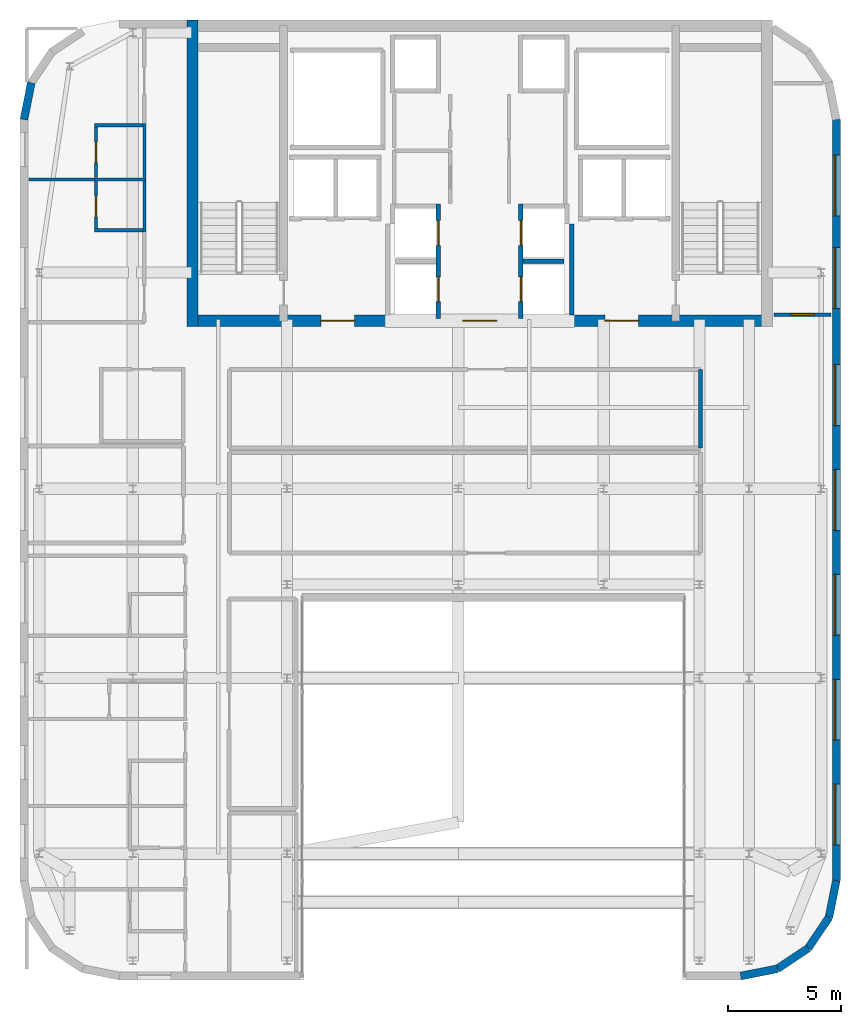
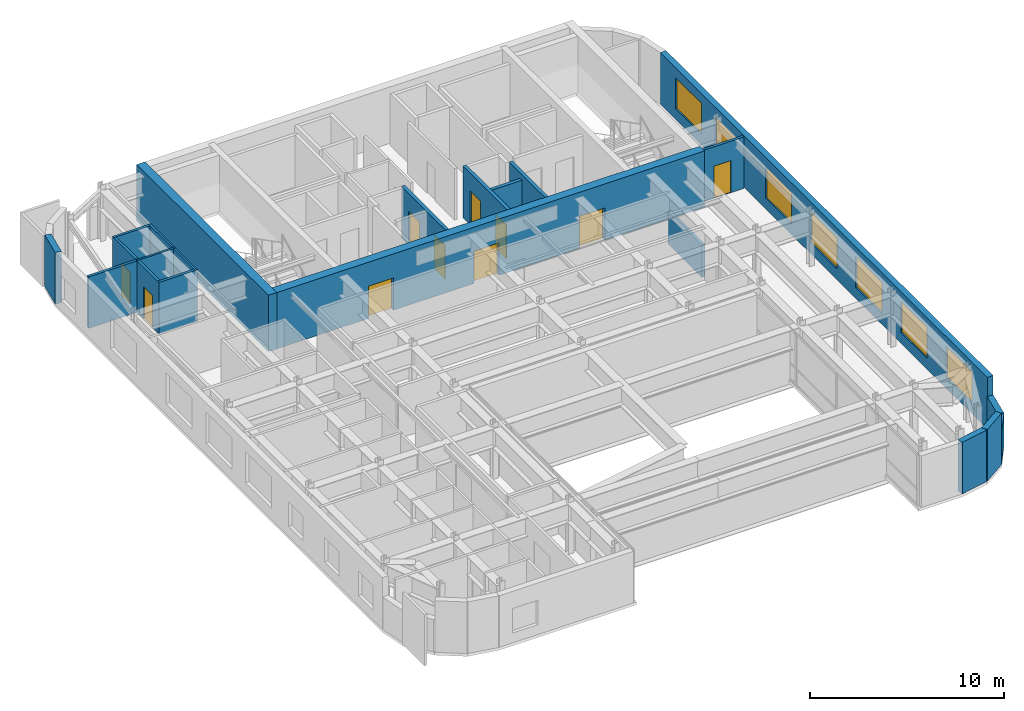
# One storey, part 18 of 21: 22 walls, 10 doors, 7 windows, 17 openings.
"""IFC4 building model written with IfcOpenShell, lengths in metres."""

import ifcopenshell
import ifcopenshell.guid

model = None  # the IFC model being written
_history = None  # IfcOwnerHistory: only IFC2X3 demands one
_inside = {}  # id of a spatial element -> (the spatial element, [elements in it])
_under = {}  # id of a project, library or spatial element -> (it, [spatial elements below it])
_declared = {}  # id of a project -> (the project, [libraries it declares])
_typed = {}  # id of a type object -> (the type object, [elements of that type])
_made_of = {}  # id of a material, layer set ... -> (it, [elements and type objects made of it])


def new_model(schema):
    """Start an empty IFC model of exactly this schema.

    Asked for "IFC4X3", IfcOpenShell would pick the latest addendum, in which some entities
    have other attributes; the version numbers below select the first issue.
    IFC2X3 requires an IfcOwnerHistory on every rooted entity: one is made here for all.
    """
    global model, _history
    if schema == "IFC4X3":
        model = ifcopenshell.file(schema_version=(4, 3, 0, 0))
    else:
        model = ifcopenshell.file(schema=schema)
    _inside.clear()
    _under.clear()
    _declared.clear()
    _typed.clear()
    _made_of.clear()
    _history = None
    if model.schema == "IFC2X3":
        org = make("IfcOrganization", Name="unknown")
        user = make(
            "IfcPersonAndOrganization",
            ThePerson=make("IfcPerson", FamilyName="unknown"),
            TheOrganization=org,
        )
        app = make(
            "IfcApplication",
            ApplicationDeveloper=org,
            Version="unknown",
            ApplicationFullName="unknown",
            ApplicationIdentifier="unknown",
        )
        _history = make(
            "IfcOwnerHistory",
            OwningUser=user,
            OwningApplication=app,
            ChangeAction="ADDED",
            CreationDate=0,
        )
    return model


def make(cls, **values):
    """One entity of the class cls with the attributes given. An attribute that is None is left unset."""
    return model.create_entity(
        cls, **{name: value for name, value in values.items() if value is not None}
    )


def rooted(cls, **values):
    """An entity with a GlobalId (a new one), such as an element, a storey or a relation."""
    return make(cls, GlobalId=ifcopenshell.guid.new(), OwnerHistory=_history, **values)


def si_unit(unit_type, name, prefix=None):
    """IfcSIUnit, for example si_unit("LENGTHUNIT", "METRE", prefix="MILLI")."""
    return make("IfcSIUnit", UnitType=unit_type, Prefix=prefix, Name=name)


def assignment(units):
    """IfcUnitAssignment: the units of a project."""
    return None if units is None else make("IfcUnitAssignment", Units=units)


def point(xyz):
    """IfcCartesianPoint."""
    return None if xyz is None else make("IfcCartesianPoint", Coordinates=xyz)


def direction(xyz):
    """IfcDirection."""
    return None if xyz is None else make("IfcDirection", DirectionRatios=xyz)


def frame(location, z_axis=None, x_axis=None):
    """IfcAxis2Placement3D, a coordinate frame: its origin and axes. An axis left out is left unset."""
    return make(
        "IfcAxis2Placement3D",
        Location=point(location),
        Axis=direction(z_axis),
        RefDirection=direction(x_axis),
    )


def frame_2d(location, x_axis=None):
    """IfcAxis2Placement2D, a coordinate frame in the plane: its origin and x axis."""
    return make(
        "IfcAxis2Placement2D", Location=point(location), RefDirection=direction(x_axis)
    )


def origin():
    """The frame at (0, 0, 0) with its axes left unset."""
    return frame((0.0, 0.0, 0.0))


def place(relative_to, where):
    """IfcLocalPlacement: puts the frame where relative to a parent placement (None: the world)."""
    return make(
        "IfcLocalPlacement", PlacementRelTo=relative_to, RelativePlacement=where
    )


def context(
    kind, dimensions, precision=None, world=None, true_north=None, identifier=None
):
    """IfcGeometricRepresentationContext, for example the 3D "Model" context."""
    return make(
        "IfcGeometricRepresentationContext",
        ContextIdentifier=identifier,
        ContextType=kind,
        CoordinateSpaceDimension=dimensions,
        Precision=precision,
        WorldCoordinateSystem=world,
        TrueNorth=true_north,
    )


def subcontext(parent, identifier, kind, view, scale=None):
    """IfcGeometricRepresentationSubContext, for example "Body" below "Model"."""
    return make(
        "IfcGeometricRepresentationSubContext",
        ContextIdentifier=identifier,
        ContextType=kind,
        ParentContext=parent,
        TargetScale=scale,
        TargetView=view,
    )


def project(units=None, contexts=None):
    """IfcProject with its units and contexts."""
    return rooted(
        "IfcProject",
        Name="project",
        RepresentationContexts=contexts,
        UnitsInContext=assignment(units),
    )


def spatial(cls, under=None, at=None, **own):
    """A site, building, storey or space (cls), placed at a placement, below another one or the project."""
    s = rooted(cls, ObjectPlacement=at, **own)
    if under is not None:
        _under.setdefault(under.id(), (under, []))[1].append(s)
    return s


def profile(cls, at=None, kind="AREA", **sizes):
    """A parametric profile (cls). Its sizes go by their IFC names, for example OverallWidth=200.0."""
    return make(cls, ProfileType=kind, Position=at, **sizes)


def rectangle(**sizes):
    """IfcRectangleProfileDef."""
    return profile("IfcRectangleProfileDef", **sizes)


def extrude(swept, where, along, depth):
    """IfcExtrudedAreaSolid: the profile swept, set in the frame where, extruded along a direction by depth."""
    return make(
        "IfcExtrudedAreaSolid",
        SweptArea=swept,
        Position=where,
        ExtrudedDirection=direction(along),
        Depth=depth,
    )


def shape(context_of_items, identifier, shape_type, items):
    """IfcShapeRepresentation: the items that make up one representation, for example the "Body"."""
    return make(
        "IfcShapeRepresentation",
        ContextOfItems=context_of_items,
        RepresentationIdentifier=identifier,
        RepresentationType=shape_type,
        Items=items,
    )


def source(mapping_origin, context_of_items, identifier, shape_type, items):
    """IfcRepresentationMap: a shape defined once, which mapped items show again and again."""
    return make(
        "IfcRepresentationMap",
        MappingOrigin=mapping_origin,
        MappedRepresentation=shape(context_of_items, identifier, shape_type, items),
    )


def transform(
    local_origin,
    x_axis=None,
    y_axis=None,
    z_axis=None,
    scale=None,
    scale2=None,
    scale3=None,
    uniform=True,
):
    """IfcCartesianTransformationOperator3D, or its non-uniform kind. x_axis, y_axis, z_axis: its Axis1, 2, 3."""
    if uniform:
        return make(
            "IfcCartesianTransformationOperator3D",
            Axis1=direction(x_axis),
            Axis2=direction(y_axis),
            LocalOrigin=point(local_origin),
            Scale=scale,
            Axis3=direction(z_axis),
        )
    return make(
        "IfcCartesianTransformationOperator3DnonUniform",
        Axis1=direction(x_axis),
        Axis2=direction(y_axis),
        LocalOrigin=point(local_origin),
        Scale=scale,
        Axis3=direction(z_axis),
        Scale2=scale2,
        Scale3=scale3,
    )


def mapped(mapping_source, mapping_target):
    """IfcMappedItem: shows the shape of a source again, moved by a transform."""
    return make(
        "IfcMappedItem", MappingSource=mapping_source, MappingTarget=mapping_target
    )


def material(Name=None, Category=None):
    """IfcMaterial."""
    return make("IfcMaterial", Name=Name, Category=Category)


def layer(
    of_material, thickness, ventilated=None, Name=None, Category=None, Priority=None
):
    """IfcMaterialLayer: one layer of a wall or slab, of a material (None: an air gap)."""
    return make(
        "IfcMaterialLayer",
        Material=of_material,
        LayerThickness=thickness,
        IsVentilated=ventilated,
        Name=Name,
        Category=Category,
        Priority=Priority,
    )


def layer_set(layers, Name=None):
    """IfcMaterialLayerSet."""
    return make("IfcMaterialLayerSet", MaterialLayers=layers, LayerSetName=Name)


def made_of(thing, what):
    """Note that an element or type object is made of a material, layer set ...; save() writes the relation."""
    if what is not None:
        _made_of.setdefault(what.id(), (what, []))[1].append(thing)
    return thing


def type_object(cls, material=None, **own):
    """A type object (cls), such as IfcWallType, which elements share."""
    return made_of(rooted(cls, **own), material)


def type_shapes(of_type, sources):
    """Give a type object the sources (RepresentationMaps) that its elements show as mapped items."""
    of_type.RepresentationMaps = sources


def element(
    cls,
    number,
    at=None,
    inside=None,
    cuts=None,
    type_object=None,
    material=None,
    context=None,
    identifier="Body",
    shape_type=None,
    held_by="IfcProductDefinitionShape",
    body=None,
    shapes=None,
    **own,
):
    """One element of the class cls, such as IfcWall. Its Tag is "e" and its number.

    at: its placement. inside: the storey or other place that contains it. cuts: it is an
    opening in that element (IfcRelVoidsElement). A single representation is given by context,
    identifier, shape_type and body (its items); several are given by shapes. held_by: the class
    of the entity that holds the representations. save() writes the other relations.
    """
    e = rooted(cls, Tag="e%d" % number, ObjectPlacement=at, **own)
    if body is not None:
        shapes = [shape(context, identifier, shape_type, body)]
    if shapes is not None:
        e.Representation = make(held_by, Representations=shapes)
    if inside is not None:
        _inside.setdefault(inside.id(), (inside, []))[1].append(e)
    if cuts is not None:
        rooted(
            "IfcRelVoidsElement", RelatingBuildingElement=cuts, RelatedOpeningElement=e
        )
    if type_object is not None:
        _typed.setdefault(type_object.id(), (type_object, []))[1].append(e)
    return made_of(e, material)


def fill(opening, filler):
    """IfcRelFillsElement: the door or window that sits in an opening."""
    return rooted(
        "IfcRelFillsElement",
        RelatingOpeningElement=opening,
        RelatedBuildingElement=filler,
    )


def aggregate(whole, parts):
    """IfcRelAggregates: a whole, such as a stair, and the parts it consists of."""
    return rooted("IfcRelAggregates", RelatingObject=whole, RelatedObjects=parts)


def save(model, path):
    """Write the relations noted so far, then the file.

    IfcRelAggregates (storeys below a building ...), IfcRelContainedInSpatialStructure (elements
    in a storey), IfcRelDefinesByType, IfcRelAssociatesMaterial and IfcRelDeclares: one each for
    every whole, place, type object, material and project.
    """
    for whole, parts in _under.values():
        aggregate(whole, parts)
    for where, things in _inside.values():
        rooted(
            "IfcRelContainedInSpatialStructure",
            RelatedElements=things,
            RelatingStructure=where,
        )
    for kind, things in _typed.values():
        rooted("IfcRelDefinesByType", RelatedObjects=things, RelatingType=kind)
    for what, things in _made_of.values():
        rooted("IfcRelAssociatesMaterial", RelatedObjects=things, RelatingMaterial=what)
    for by, libraries in _declared.values():
        rooted("IfcRelDeclares", RelatingContext=by, RelatedDefinitions=libraries)
    model.write(path)


model = new_model("IFC4")

# Units and contexts
model_context = context("Model", 3, precision=1e-05, world=origin(), true_north=direction((0.0, 1.0)))
body_context = subcontext(model_context, "Body", "Model", "MODEL_VIEW")
ifc_project = project(units=[si_unit("LENGTHUNIT", "METRE"), si_unit("AREAUNIT", "SQUARE_METRE"), si_unit("VOLUMEUNIT", "CUBIC_METRE"), si_unit("PLANEANGLEUNIT", "RADIAN"), si_unit("MASSUNIT", "GRAM", prefix="KILO")], contexts=[model_context])

# Site, building, storey
site_placement = place(None, origin())
site = spatial("IfcSite", under=ifc_project, at=site_placement, CompositionType="ELEMENT")
building_placement = place(site_placement, origin())
building = spatial("IfcBuilding", under=site, at=building_placement, Name="Tolvann Quenvar Hotel", CompositionType="ELEMENT")
storey_placement = place(building_placement, frame((0.0, 0.0, 266.5)))
storey = spatial("IfcBuildingStorey", under=building, at=storey_placement, Name="L71", CompositionType="ELEMENT", Elevation=266.5)

# Wall, openings, doors
ifc_material_1 = material(Name="Concrete N50 (50 MPa)", Category="concrete")
ifc_layer_1 = layer(ifc_material_1, 0.5)
ifc_layer_set_1 = layer_set([ifc_layer_1], Name="Concrete N50 (50 MPa)")
wall_type_1 = type_object("IfcWallType", Name="WALL_CORE_500", PredefinedType="SHEAR", material=ifc_layer_set_1)
wall_1_placement = place(storey_placement, frame((10.0, 31.85009765625, 0.0), z_axis=(0.0, 0.0, 1.0), x_axis=(1.0, 0.0, 0.0)))
wall_1 = element("IfcWall", 1, at=wall_1_placement, inside=storey, type_object=wall_type_1, Name="Rear Core S Shear Wall (L71)", PredefinedType="SHEAR", context=body_context, shape_type="SweptSolid", body=[
    extrude(rectangle(XDim=26.0, YDim=0.5, at=frame_2d((13.0, 0.0))), origin(), (0.0, 0.0, 1.0), 3.550048828125),
])
opening_1_placement = place(wall_1_placement, frame((7.449951171875, 0.0, 0.0), z_axis=(0.0, 0.0, 1.0), x_axis=(-1.0, 0.0, 0.0)))
opening_1 = element("IfcOpeningElement", 2, at=opening_1_placement, cuts=wall_1, Name="Opening FD-60D", PredefinedType="OPENING", context=body_context, shape_type="SweptSolid", body=[
    extrude(rectangle(XDim=1.5, YDim=2.0400390625, at=frame_2d((0.75, 1.02001953125))), frame((0.0, 0.260009765625, 0.0), z_axis=(0.0, -1.0, 0.0), x_axis=(1.0, 0.0, 0.0)), (0.0, 0.0, 1.0), 0.52001953125),
])
opening_2_placement = place(wall_1_placement, frame((13.75, 0.0, 0.0), z_axis=(0.0, 0.0, 1.0), x_axis=(-1.0, 0.0, 0.0)))
opening_2 = element("IfcOpeningElement", 3, at=opening_2_placement, cuts=wall_1, Name="Opening FD-60D", PredefinedType="OPENING", context=body_context, shape_type="SweptSolid", body=[
    extrude(rectangle(XDim=1.5, YDim=2.0400390625, at=frame_2d((0.75, 1.02001953125))), frame((0.0, 0.260009765625, 0.0), z_axis=(0.0, -1.0, 0.0), x_axis=(1.0, 0.0, 0.0)), (0.0, 0.0, 1.0), 0.52001953125),
])
opening_3_placement = place(wall_1_placement, frame((20.050048828125, 0.0, 0.0), z_axis=(0.0, 0.0, 1.0), x_axis=(-1.0, 0.0, 0.0)))
opening_3 = element("IfcOpeningElement", 4, at=opening_3_placement, cuts=wall_1, Name="Opening FD-60D", PredefinedType="OPENING", context=body_context, shape_type="SweptSolid", body=[
    extrude(rectangle(XDim=1.5, YDim=2.0400390625, at=frame_2d((0.75, 1.02001953125))), frame((0.0, 0.260009765625, 0.0), z_axis=(0.0, -1.0, 0.0), x_axis=(1.0, 0.0, 0.0)), (0.0, 0.0, 1.0), 0.52001953125),
])
ifc_material_2 = material(Name="Solid-core American oak acoustic fire door leaf in steel frame", Category="steel")
door_type_1 = type_object("IfcDoorType", Name="DOOR_FIRE_LOBBY_1500", OperationType="NOTDEFINED", PredefinedType="DOOR", material=ifc_material_2)
shared_shape_1 = source(origin(), body_context, "Body", "SweptSolid", [
    extrude(rectangle(XDim=1.5, YDim=2.0400390625, at=frame_2d((0.75, 1.02001953125))), frame((0.0, 0.02490234375, 0.0), z_axis=(0.0, -1.0, 0.0), x_axis=(1.0, 0.0, 0.0)), (0.0, 0.0, 1.0), 0.050048828125),
])
type_shapes(door_type_1, [shared_shape_1])
door_1_placement = place(opening_1_placement, origin())
door_1 = element("IfcDoor", 5, at=door_1_placement, inside=storey, type_object=door_type_1, Name="Core Lobby Fire Door FFW (L71)", OperationType="DOUBLE_DOOR_SINGLE_SWING", OverallHeight=2.0400390625, OverallWidth=1.5, PredefinedType="DOOR", context=body_context, shape_type="MappedRepresentation", body=[
    mapped(shared_shape_1, transform((0.0, 0.0, 0.0), x_axis=(1.0, 0.0, 0.0), y_axis=(0.0, 1.0, 0.0), z_axis=(0.0, 0.0, 1.0), scale=1.0)),
])
fill(opening_1, door_1)
door_2_placement = place(opening_2_placement, origin())
door_2 = element("IfcDoor", 6, at=door_2_placement, inside=storey, type_object=door_type_1, Name="Core Lobby Fire Door CLOB (L71)", OperationType="DOUBLE_DOOR_SINGLE_SWING", OverallHeight=2.0400390625, OverallWidth=1.5, PredefinedType="DOOR", context=body_context, shape_type="MappedRepresentation", body=[
    mapped(shared_shape_1, transform((0.0, 0.0, 0.0), x_axis=(1.0, 0.0, 0.0), y_axis=(0.0, 1.0, 0.0), z_axis=(0.0, 0.0, 1.0), scale=1.0)),
])
fill(opening_2, door_2)
door_3_placement = place(opening_3_placement, origin())
door_3 = element("IfcDoor", 7, at=door_3_placement, inside=storey, type_object=door_type_1, Name="Core Lobby Fire Door FFE (L71)", OperationType="DOUBLE_DOOR_SINGLE_SWING", OverallHeight=2.0400390625, OverallWidth=1.5, PredefinedType="DOOR", context=body_context, shape_type="MappedRepresentation", body=[
    mapped(shared_shape_1, transform((0.0, 0.0, 0.0), x_axis=(1.0, 0.0, 0.0), y_axis=(0.0, 1.0, 0.0), z_axis=(0.0, 0.0, 1.0), scale=1.0)),
])
fill(opening_3, door_3)

# Walls
wall_2_placement = place(storey_placement, frame((10.25, 31.60009765625, 0.0), z_axis=(0.0, 0.0, 1.0), x_axis=(0.0, 1.0, 0.0)))
element("IfcWall", 8, at=wall_2_placement, inside=storey, type_object=wall_type_1, Name="Rear Core W Shear Wall (L71)", PredefinedType="SHEAR", context=body_context, shape_type="SweptSolid", body=[
    extrude(rectangle(XDim=13.599853515625, YDim=0.5, at=frame_2d((6.7998046875, 0.0))), origin(), (0.0, 0.0, 1.0), 3.550048828125),
])
ifc_material_3 = material(Name="Kiln-fired red and buff architectural clay brickwork and terracotta masonry", Category="masonry")
ifc_layer_2 = layer(ifc_material_3, 0.35009765625)
ifc_layer_set_2 = layer_set([ifc_layer_2], Name="Kiln-fired red and buff architectural clay brickwork and terracotta masonry")
wall_type_2 = type_object("IfcWallType", Name="WALL_EXT_BRICK_350", PredefinedType="SOLIDWALL", material=ifc_layer_set_2)
wall_3_placement = place(storey_placement, frame((34.582763671875, 2.77490234375, 0.0), z_axis=(0.0, 0.0, 1.0), x_axis=(0.980794424524, 0.195044345786, 0.0)))
element("IfcWall", 9, at=wall_3_placement, inside=storey, type_object=wall_type_2, Name="Exterior Chicago Brick Wall L71-E09", PredefinedType="SOLIDWALL", context=body_context, shape_type="SweptSolid", body=[
    extrude(rectangle(XDim=1.664794921875, YDim=0.35009765625, at=frame_2d((0.83251953125, 0.0))), origin(), (0.0, 0.0, 1.0), 3.25),
])
wall_4_placement = place(storey_placement, frame((36.215576171875, 3.099609375, 0.0), z_axis=(0.0, 0.0, 1.0), x_axis=(0.831434158098, 0.555623290322, 0.0)))
element("IfcWall", 10, at=wall_4_placement, inside=storey, type_object=wall_type_2, Name="Exterior Chicago Brick Wall L71-E10", PredefinedType="SOLIDWALL", context=body_context, shape_type="SweptSolid", body=[
    extrude(rectangle(XDim=1.647216796875, YDim=0.35009765625, at=frame_2d((0.82373046875, 0.0))), origin(), (0.0, 0.0, 1.0), 3.25),
])
wall_5_placement = place(storey_placement, frame((37.585205078125, 4.014892578125, 0.0), z_axis=(0.0, 0.0, 1.0), x_axis=(0.555520825599, 0.831502623162, 0.0)))
element("IfcWall", 11, at=wall_5_placement, inside=storey, type_object=wall_type_2, Name="Exterior Chicago Brick Wall L71-E11", PredefinedType="SOLIDWALL", context=body_context, shape_type="SweptSolid", body=[
    extrude(rectangle(XDim=1.647216796875, YDim=0.35009765625, at=frame_2d((0.82373046875, 0.0))), origin(), (0.0, 0.0, 1.0), 2.0400390625),
])
wall_6_placement = place(storey_placement, frame((38.500244140625, 5.384521484375, 0.0), z_axis=(0.0, 0.0, 1.0), x_axis=(0.195072403631, 0.980788844421, 0.0)))
element("IfcWall", 12, at=wall_6_placement, inside=storey, type_object=wall_type_2, Name="Exterior Chicago Brick Wall L71-E12", PredefinedType="SOLIDWALL", context=body_context, shape_type="SweptSolid", body=[
    extrude(rectangle(XDim=1.66455078125, YDim=0.35009765625, at=frame_2d((0.832275390625, 0.0))), origin(), (0.0, 0.0, 1.0), 2.0400390625),
])

# Wall, openings, windows
wall_7_placement = place(storey_placement, frame((38.824951171875, 7.01708984375, 0.0), z_axis=(0.0, 0.0, 1.0), x_axis=(0.0, 1.0, 0.0)))
wall_7 = element("IfcWall", 13, at=wall_7_placement, inside=storey, type_object=wall_type_2, Name="Exterior Chicago Brick Wall L71-E13", PredefinedType="SOLIDWALL", context=body_context, shape_type="SweptSolid", body=[
    extrude(rectangle(XDim=33.765625, YDim=0.35009765625, at=frame_2d((16.8828125, 0.0))), origin(), (0.0, 0.0, 1.0), 3.25),
])
opening_4_placement = place(wall_7_placement, frame((1.575927734375, 0.0, 0.679931640625)))
opening_4 = element("IfcOpeningElement", 14, at=opening_4_placement, cuts=wall_7, Name="Opening W-04", PredefinedType="OPENING", context=body_context, shape_type="SweptSolid", body=[
    extrude(rectangle(XDim=2.699951171875, YDim=1.949951171875, at=frame_2d((1.35009765625, 0.97509765625))), frame((0.0, 0.18505859375, 0.0), z_axis=(0.0, -1.0, 0.0), x_axis=(1.0, 0.0, 0.0)), (0.0, 0.0, 1.0), 0.3701171875),
])
opening_5_placement = place(wall_7_placement, frame((6.22802734375, 0.0, 0.679931640625)))
opening_5 = element("IfcOpeningElement", 15, at=opening_5_placement, cuts=wall_7, Name="Opening W-04", PredefinedType="OPENING", context=body_context, shape_type="SweptSolid", body=[
    extrude(rectangle(XDim=2.699951171875, YDim=1.949951171875, at=frame_2d((1.35009765625, 0.97509765625))), frame((0.0, 0.18505859375, 0.0), z_axis=(0.0, -1.0, 0.0), x_axis=(1.0, 0.0, 0.0)), (0.0, 0.0, 1.0), 0.3701171875),
])
opening_6_placement = place(wall_7_placement, frame((10.881103515625, 0.0, 0.679931640625)))
opening_6 = element("IfcOpeningElement", 16, at=opening_6_placement, cuts=wall_7, Name="Opening W-04", PredefinedType="OPENING", context=body_context, shape_type="SweptSolid", body=[
    extrude(rectangle(XDim=2.699951171875, YDim=1.949951171875, at=frame_2d((1.35009765625, 0.97509765625))), frame((0.0, 0.18505859375, 0.0), z_axis=(0.0, -1.0, 0.0), x_axis=(1.0, 0.0, 0.0)), (0.0, 0.0, 1.0), 0.3701171875),
])
opening_7_placement = place(wall_7_placement, frame((15.532958984375, 0.0, 0.679931640625)))
opening_7 = element("IfcOpeningElement", 17, at=opening_7_placement, cuts=wall_7, Name="Opening W-04", PredefinedType="OPENING", context=body_context, shape_type="SweptSolid", body=[
    extrude(rectangle(XDim=2.699951171875, YDim=1.949951171875, at=frame_2d((1.35009765625, 0.97509765625))), frame((0.0, 0.18505859375, 0.0), z_axis=(0.0, -1.0, 0.0), x_axis=(1.0, 0.0, 0.0)), (0.0, 0.0, 1.0), 0.3701171875),
])
opening_8_placement = place(wall_7_placement, frame((20.18505859375, 0.0, 0.679931640625)))
opening_8 = element("IfcOpeningElement", 18, at=opening_8_placement, cuts=wall_7, Name="Opening W-04", PredefinedType="OPENING", context=body_context, shape_type="SweptSolid", body=[
    extrude(rectangle(XDim=2.699951171875, YDim=1.949951171875, at=frame_2d((1.35009765625, 0.97509765625))), frame((0.0, 0.18505859375, 0.0), z_axis=(0.0, -1.0, 0.0), x_axis=(1.0, 0.0, 0.0)), (0.0, 0.0, 1.0), 0.3701171875),
])
opening_9_placement = place(wall_7_placement, frame((25.386962890625, 0.0, 0.679931640625)))
opening_9 = element("IfcOpeningElement", 19, at=opening_9_placement, cuts=wall_7, Name="Opening W-04", PredefinedType="OPENING", context=body_context, shape_type="SweptSolid", body=[
    extrude(rectangle(XDim=2.699951171875, YDim=1.949951171875, at=frame_2d((1.35009765625, 0.97509765625))), frame((0.0, 0.18505859375, 0.0), z_axis=(0.0, -1.0, 0.0), x_axis=(1.0, 0.0, 0.0)), (0.0, 0.0, 1.0), 0.3701171875),
])
opening_10_placement = place(wall_7_placement, frame((29.489013671875, 0.0, 0.679931640625)))
opening_10 = element("IfcOpeningElement", 20, at=opening_10_placement, cuts=wall_7, Name="Opening W-04", PredefinedType="OPENING", context=body_context, shape_type="SweptSolid", body=[
    extrude(rectangle(XDim=2.699951171875, YDim=1.949951171875, at=frame_2d((1.35009765625, 0.97509765625))), frame((0.0, 0.18505859375, 0.0), z_axis=(0.0, -1.0, 0.0), x_axis=(1.0, 0.0, 0.0)), (0.0, 0.0, 1.0), 0.3701171875),
])
ifc_material_4 = material(Name="Thermally broken bronze-anodised aluminium frame with double low-E glazing", Category="aluminium")
window_type = type_object("IfcWindowType", Name="WIN_STE_2700x2150", PartitioningType="TRIPLE_PANEL_HORIZONTAL", PredefinedType="WINDOW", material=ifc_material_4)
shared_shape_2 = source(origin(), body_context, "Body", "SweptSolid", [
    extrude(rectangle(XDim=2.699951171875, YDim=1.949951171875, at=frame_2d((1.35009765625, 0.97509765625))), frame((0.0, 0.090087890625, 0.0), z_axis=(0.0, -1.0, 0.0), x_axis=(1.0, 0.0, 0.0)), (0.0, 0.0, 1.0), 0.06005859375),
])
type_shapes(window_type, [shared_shape_2])
window_1_placement = place(opening_4_placement, origin())
window_1 = element("IfcWindow", 21, at=window_1_placement, inside=storey, type_object=window_type, Name="Chicago Window W-04 (EW-L71-E13-W01)", OverallHeight=1.949951171875, OverallWidth=2.699951171875, PartitioningType="TRIPLE_PANEL_HORIZONTAL", PredefinedType="WINDOW", context=body_context, shape_type="MappedRepresentation", body=[
    mapped(shared_shape_2, transform((0.0, 0.0, 0.0), x_axis=(1.0, 0.0, 0.0), y_axis=(0.0, 1.0, 0.0), z_axis=(0.0, 0.0, 1.0), scale=1.0)),
])
fill(opening_4, window_1)
window_2_placement = place(opening_5_placement, origin())
window_2 = element("IfcWindow", 22, at=window_2_placement, inside=storey, type_object=window_type, Name="Chicago Window W-04 (EW-L71-E13-W02)", OverallHeight=1.949951171875, OverallWidth=2.699951171875, PartitioningType="TRIPLE_PANEL_HORIZONTAL", PredefinedType="WINDOW", context=body_context, shape_type="MappedRepresentation", body=[
    mapped(shared_shape_2, transform((0.0, 0.0, 0.0), x_axis=(1.0, 0.0, 0.0), y_axis=(0.0, 1.0, 0.0), z_axis=(0.0, 0.0, 1.0), scale=1.0)),
])
fill(opening_5, window_2)
window_3_placement = place(opening_6_placement, origin())
window_3 = element("IfcWindow", 23, at=window_3_placement, inside=storey, type_object=window_type, Name="Chicago Window W-04 (EW-L71-E13-W03)", OverallHeight=1.949951171875, OverallWidth=2.699951171875, PartitioningType="TRIPLE_PANEL_HORIZONTAL", PredefinedType="WINDOW", context=body_context, shape_type="MappedRepresentation", body=[
    mapped(shared_shape_2, transform((0.0, 0.0, 0.0), x_axis=(1.0, 0.0, 0.0), y_axis=(0.0, 1.0, 0.0), z_axis=(0.0, 0.0, 1.0), scale=1.0)),
])
fill(opening_6, window_3)
window_4_placement = place(opening_7_placement, origin())
window_4 = element("IfcWindow", 24, at=window_4_placement, inside=storey, type_object=window_type, Name="Chicago Window W-04 (EW-L71-E13-W04)", OverallHeight=1.949951171875, OverallWidth=2.699951171875, PartitioningType="TRIPLE_PANEL_HORIZONTAL", PredefinedType="WINDOW", context=body_context, shape_type="MappedRepresentation", body=[
    mapped(shared_shape_2, transform((0.0, 0.0, 0.0), x_axis=(1.0, 0.0, 0.0), y_axis=(0.0, 1.0, 0.0), z_axis=(0.0, 0.0, 1.0), scale=1.0)),
])
fill(opening_7, window_4)
window_5_placement = place(opening_8_placement, origin())
window_5 = element("IfcWindow", 25, at=window_5_placement, inside=storey, type_object=window_type, Name="Chicago Window W-04 (EW-L71-E13-W05)", OverallHeight=1.949951171875, OverallWidth=2.699951171875, PartitioningType="TRIPLE_PANEL_HORIZONTAL", PredefinedType="WINDOW", context=body_context, shape_type="MappedRepresentation", body=[
    mapped(shared_shape_2, transform((0.0, 0.0, 0.0), x_axis=(1.0, 0.0, 0.0), y_axis=(0.0, 1.0, 0.0), z_axis=(0.0, 0.0, 1.0), scale=1.0)),
])
fill(opening_8, window_5)
window_6_placement = place(opening_9_placement, origin())
window_6 = element("IfcWindow", 26, at=window_6_placement, inside=storey, type_object=window_type, Name="Chicago Window W-04 (EW-L71-E13-W06)", OverallHeight=1.949951171875, OverallWidth=2.699951171875, PartitioningType="TRIPLE_PANEL_HORIZONTAL", PredefinedType="WINDOW", context=body_context, shape_type="MappedRepresentation", body=[
    mapped(shared_shape_2, transform((0.0, 0.0, 0.0), x_axis=(1.0, 0.0, 0.0), y_axis=(0.0, 1.0, 0.0), z_axis=(0.0, 0.0, 1.0), scale=1.0)),
])
fill(opening_9, window_6)
window_7_placement = place(opening_10_placement, origin())
window_7 = element("IfcWindow", 27, at=window_7_placement, inside=storey, type_object=window_type, Name="Chicago Window W-04 (EW-L71-E13-W07)", OverallHeight=1.949951171875, OverallWidth=2.699951171875, PartitioningType="TRIPLE_PANEL_HORIZONTAL", PredefinedType="WINDOW", context=body_context, shape_type="MappedRepresentation", body=[
    mapped(shared_shape_2, transform((0.0, 0.0, 0.0), x_axis=(1.0, 0.0, 0.0), y_axis=(0.0, 1.0, 0.0), z_axis=(0.0, 0.0, 1.0), scale=1.0)),
])
fill(opening_10, window_7)

# Walls
wall_8_placement = place(storey_placement, frame((3.099609375, 42.41552734375, 0.0), z_axis=(0.0, 0.0, 1.0), x_axis=(-0.195044345786, -0.980794424524, 0.0)))
element("IfcWall", 28, at=wall_8_placement, inside=storey, type_object=wall_type_2, Name="Exterior Chicago Brick Wall L71-E22", PredefinedType="SOLIDWALL", context=body_context, shape_type="SweptSolid", body=[
    extrude(rectangle(XDim=1.664794921875, YDim=0.35009765625, at=frame_2d((0.83251953125, 0.0))), origin(), (0.0, 0.0, 1.0), 3.25),
])
ifc_material_5 = material(Name="Acoustic twin-stud fire-rated gypsum plasterboard partition")
ifc_layer_3 = layer(ifc_material_5, 0.179931640625)
ifc_layer_set_3 = layer_set([ifc_layer_3], Name="Acoustic twin-stud fire-rated gypsum plasterboard partition")
wall_type_3 = type_object("IfcWallType", Name="WALL_PART_ACOUSTIC_180", PredefinedType="PARTITIONING", material=ifc_layer_set_3)
wall_9_placement = place(storey_placement, frame((32.800048828125, 26.199951171875, 0.0), z_axis=(0.0, 0.0, 1.0), x_axis=(0.0, 1.0, 0.0)))
element("IfcWall", 29, at=wall_9_placement, inside=storey, type_object=wall_type_3, Name="Interior Partition PT-SPC-L71-PCNTR2-E", PredefinedType="PARTITIONING", context=body_context, shape_type="SweptSolid", body=[
    extrude(rectangle(XDim=3.5, YDim=0.179931640625, at=frame_2d((1.75, 0.0))), origin(), (0.0, 0.0, 1.0), 2.0400390625),
])
ifc_material_6 = material(Name="Moisture-resistant acoustic plumbing wall assembly")
ifc_layer_4 = layer(ifc_material_6, 0.1201171875)
ifc_layer_set_4 = layer_set([ifc_layer_4], Name="Moisture-resistant acoustic plumbing wall assembly")
wall_type_4 = type_object("IfcWallType", Name="WALL_PART_BATH_120", PredefinedType="PLUMBINGWALL", material=ifc_layer_set_4)
wall_10_placement = place(storey_placement, frame((5.89990234375, 38.1201171875, 0.0), z_axis=(0.0, 0.0, 1.0), x_axis=(1.0, 0.0, 0.0)))
element("IfcWall", 30, at=wall_10_placement, inside=storey, type_object=wall_type_4, Name="Non-Rated Plumbing Partition PT-SPC-L71-ENS-PNW01-N", PredefinedType="PLUMBINGWALL", context=body_context, shape_type="SweptSolid", body=[
    extrude(rectangle(XDim=2.2900390625, YDim=0.1201171875, at=frame_2d((1.14501953125, 0.0))), origin(), (0.0, 0.0, 1.0), 3.25),
])
wall_11_placement = place(storey_placement, frame((8.1201171875, 35.800048828125, 0.0), z_axis=(0.0, 0.0, 1.0), x_axis=(0.0, 1.0, 0.0)))
element("IfcWall", 31, at=wall_11_placement, inside=storey, type_object=wall_type_4, Name="Non-Rated Plumbing Partition PT-SPC-L71-ENS-PNW01-E", PredefinedType="PLUMBINGWALL", context=body_context, shape_type="SweptSolid", body=[
    extrude(rectangle(XDim=2.389892578125, YDim=0.1201171875, at=frame_2d((1.19482421875, 0.0))), origin(), (0.0, 0.0, 1.0), 3.25),
])
wall_12_placement = place(storey_placement, frame((8.1201171875, 38.2099609375, 0.0), z_axis=(0.0, 0.0, 1.0), x_axis=(0.0, 1.0, 0.0)))
element("IfcWall", 32, at=wall_12_placement, inside=storey, type_object=wall_type_4, Name="Non-Rated Plumbing Partition PT-SPC-L71-ENS-PNW02-E", PredefinedType="PLUMBINGWALL", context=body_context, shape_type="SweptSolid", body=[
    extrude(rectangle(XDim=2.39013671875, YDim=0.1201171875, at=frame_2d((1.195068359375, 0.0))), origin(), (0.0, 0.0, 1.0), 3.25),
])

# Wall, opening, door
ifc_layer_5 = layer(ifc_material_5, 0.14990234375)
ifc_layer_set_5 = layer_set([ifc_layer_5], Name="Acoustic twin-stud fire-rated gypsum plasterboard partition")
wall_type_5 = type_object("IfcWallType", Name="WALL_PART_SUITE_150", PredefinedType="PARTITIONING", material=ifc_layer_set_5)
wall_13_placement = place(storey_placement, frame((5.969970703125, 35.800048828125, 0.0), z_axis=(0.0, 0.0, 1.0), x_axis=(0.0, 1.0, 0.0)))
wall_13 = element("IfcWall", 33, at=wall_13_placement, inside=storey, type_object=wall_type_5, Name="Interior Partition PT-SPC-L71-ENS-PNW01-ENT", PredefinedType="PARTITIONING", context=body_context, shape_type="SweptSolid", body=[
    extrude(rectangle(XDim=2.389892578125, YDim=0.14990234375, at=frame_2d((1.19482421875, 0.0))), origin(), (0.0, 0.0, 1.0), 3.25),
])
opening_11_placement = place(wall_13_placement, frame((0.6650390625, 0.0, 0.0)))
opening_11 = element("IfcOpeningElement", 34, at=opening_11_placement, cuts=wall_13, Name="Opening WD-01", PredefinedType="OPENING", context=body_context, shape_type="SweptSolid", body=[
    extrude(rectangle(XDim=0.919921875, YDim=2.010009765625, at=frame_2d((0.4599609375, 1.0048828125))), frame((0.0, 0.0849609375, 0.0), z_axis=(0.0, -1.0, 0.0), x_axis=(1.0, 0.0, 0.0)), (0.0, 0.0, 1.0), 0.169921875),
])
door_type_2 = type_object("IfcDoorType", Name="DOOR_WC_920", OperationType="NOTDEFINED", PredefinedType="DOOR", material=ifc_material_2)
shared_shape_3 = source(origin(), body_context, "Body", "SweptSolid", [
    extrude(rectangle(XDim=0.919921875, YDim=2.010009765625, at=frame_2d((0.4599609375, 1.0048828125))), frame((0.0, 0.02490234375, 0.0), z_axis=(0.0, -1.0, 0.0), x_axis=(1.0, 0.0, 0.0)), (0.0, 0.0, 1.0), 0.050048828125),
])
type_shapes(door_type_2, [shared_shape_3])
door_4_placement = place(opening_11_placement, origin())
door_4 = element("IfcDoor", 35, at=door_4_placement, inside=storey, type_object=door_type_2, Name="Interior Door DOOR-SPC-L71-ENS-PNW01", OperationType="SINGLE_SWING_RIGHT", OverallHeight=2.010009765625, OverallWidth=0.919921875, PredefinedType="DOOR", context=body_context, shape_type="MappedRepresentation", body=[
    mapped(shared_shape_3, transform((0.0, 0.0, 0.0), x_axis=(1.0, 0.0, 0.0), y_axis=(0.0, 1.0, 0.0), z_axis=(0.0, 0.0, 1.0), scale=1.0)),
])
fill(opening_11, door_4)

# Wall
wall_14_placement = place(storey_placement, frame((5.89990234375, 35.8701171875, 0.0), z_axis=(0.0, 0.0, 1.0), x_axis=(1.0, 0.0, 0.0)))
element("IfcWall", 36, at=wall_14_placement, inside=storey, type_object=wall_type_5, Name="Interior Partition PT-SPC-L71-ENS-PNW01-S", PredefinedType="PARTITIONING", context=body_context, shape_type="SweptSolid", body=[
    extrude(rectangle(XDim=2.2900390625, YDim=0.14990234375, at=frame_2d((1.14501953125, 0.0))), origin(), (0.0, 0.0, 1.0), 3.25),
])

# Wall, opening, door
wall_15_placement = place(storey_placement, frame((5.969970703125, 38.2099609375, 0.0), z_axis=(0.0, 0.0, 1.0), x_axis=(0.0, 1.0, 0.0)))
wall_15 = element("IfcWall", 37, at=wall_15_placement, inside=storey, type_object=wall_type_5, Name="Interior Partition PT-SPC-L71-ENS-PNW02-ENT", PredefinedType="PARTITIONING", context=body_context, shape_type="SweptSolid", body=[
    extrude(rectangle(XDim=2.39013671875, YDim=0.14990234375, at=frame_2d((1.195068359375, 0.0))), origin(), (0.0, 0.0, 1.0), 3.25),
])
opening_12_placement = place(wall_15_placement, frame((0.6650390625, 0.0, 0.0)))
opening_12 = element("IfcOpeningElement", 38, at=opening_12_placement, cuts=wall_15, Name="Opening WD-01", PredefinedType="OPENING", context=body_context, shape_type="SweptSolid", body=[
    extrude(rectangle(XDim=0.919921875, YDim=2.010009765625, at=frame_2d((0.4599609375, 1.0048828125))), frame((0.0, 0.0849609375, 0.0), z_axis=(0.0, -1.0, 0.0), x_axis=(1.0, 0.0, 0.0)), (0.0, 0.0, 1.0), 0.169921875),
])
door_5_placement = place(opening_12_placement, origin())
door_5 = element("IfcDoor", 39, at=door_5_placement, inside=storey, type_object=door_type_2, Name="Interior Door DOOR-SPC-L71-ENS-PNW02", OperationType="SINGLE_SWING_LEFT", OverallHeight=2.010009765625, OverallWidth=0.919921875, PredefinedType="DOOR", context=body_context, shape_type="MappedRepresentation", body=[
    mapped(shared_shape_3, transform((0.0, 0.0, 0.0), x_axis=(1.0, 0.0, 0.0), y_axis=(0.0, 1.0, 0.0), z_axis=(0.0, 0.0, 1.0), scale=1.0)),
])
fill(opening_12, door_5)

# Walls
wall_16_placement = place(storey_placement, frame((5.89990234375, 40.530029296875, 0.0), z_axis=(0.0, 0.0, 1.0), x_axis=(1.0, 0.0, 0.0)))
element("IfcWall", 40, at=wall_16_placement, inside=storey, type_object=wall_type_5, Name="Interior Partition PT-SPC-L71-ENS-PNW02-N", PredefinedType="PARTITIONING", context=body_context, shape_type="SweptSolid", body=[
    extrude(rectangle(XDim=2.2900390625, YDim=0.14990234375, at=frame_2d((1.14501953125, 0.0))), origin(), (0.0, 0.0, 1.0), 3.25),
])
wall_17_placement = place(storey_placement, frame((3.0048828125, 38.1201171875, 0.0), z_axis=(0.0, 0.0, 1.0), x_axis=(1.0, 0.0, 0.0)))
element("IfcWall", 41, at=wall_17_placement, inside=storey, type_object=wall_type_5, Name="Interior Partition PT-SPC-L71-RM-PNW01-E5", PredefinedType="PARTITIONING", context=body_context, shape_type="SweptSolid", body=[
    extrude(rectangle(XDim=2.945068359375, YDim=0.14990234375, at=frame_2d((1.47265625, 0.0))), origin(), (0.0, 0.0, 1.0), 3.25),
])

# Wall, opening, door
wall_18_placement = place(storey_placement, frame((36.054931640625, 32.1201171875, 0.0), z_axis=(0.0, 0.0, 1.0), x_axis=(1.0, 0.0, 0.0)))
wall_18 = element("IfcWall", 42, at=wall_18_placement, inside=storey, type_object=wall_type_5, Name="Interior Partition PT-SPC-L71-RECPL-P-S", PredefinedType="PARTITIONING", context=body_context, shape_type="SweptSolid", body=[
    extrude(rectangle(XDim=2.5400390625, YDim=0.14990234375, at=frame_2d((1.27001953125, 0.0))), origin(), (0.0, 0.0, 1.0), 3.25),
])
opening_13_placement = place(wall_18_placement, frame((0.760009765625, 0.0, 0.0)))
opening_13 = element("IfcOpeningElement", 43, at=opening_13_placement, cuts=wall_18, Name="Opening HD-01", PredefinedType="OPENING", context=body_context, shape_type="SweptSolid", body=[
    extrude(rectangle(XDim=1.02001953125, YDim=2.030029296875, at=frame_2d((0.510009765625, 1.01513671875))), frame((0.0, 0.0849609375, 0.0), z_axis=(0.0, -1.0, 0.0), x_axis=(1.0, 0.0, 0.0)), (0.0, 0.0, 1.0), 0.169921875),
])
ifc_material_7 = material(Name="Pressed galvanised steel fire-rated door set", Category="steel")
door_type_3 = type_object("IfcDoorType", Name="DOOR_BOH_1020", OperationType="NOTDEFINED", PredefinedType="DOOR", material=ifc_material_7)
shared_shape_4 = source(origin(), body_context, "Body", "SweptSolid", [
    extrude(rectangle(XDim=1.02001953125, YDim=2.030029296875, at=frame_2d((0.510009765625, 1.01513671875))), frame((0.0, 0.02490234375, 0.0), z_axis=(0.0, -1.0, 0.0), x_axis=(1.0, 0.0, 0.0)), (0.0, 0.0, 1.0), 0.050048828125),
])
type_shapes(door_type_3, [shared_shape_4])
door_6_placement = place(opening_13_placement, origin())
door_6 = element("IfcDoor", 44, at=door_6_placement, inside=storey, type_object=door_type_3, Name="Interior Door DOOR-SPC-L71-RECPL-P", OperationType="SINGLE_SWING_LEFT", OverallHeight=2.030029296875, OverallWidth=1.02001953125, PredefinedType="DOOR", context=body_context, shape_type="MappedRepresentation", body=[
    mapped(shared_shape_4, transform((0.0, 0.0, 0.0), x_axis=(1.0, 0.0, 0.0), y_axis=(0.0, 1.0, 0.0), z_axis=(0.0, 0.0, 1.0), scale=1.0)),
])
fill(opening_13, door_6)

# Wall
ifc_material_8 = material(Name="Concrete N40 (40 MPa)", Category="concrete")
ifc_layer_6 = layer(ifc_material_8, 0.199951171875)
ifc_layer_set_6 = layer_set([ifc_layer_6], Name="Concrete N40 (40 MPa)")
wall_type_6 = type_object("IfcWallType", Name="WALL_SHAFT_200", PredefinedType="SOLIDWALL", material=ifc_layer_set_6)
wall_19_placement = place(storey_placement, frame((27.080078125, 32.10400390625, 0.0), z_axis=(0.0, 0.0, 1.0), x_axis=(0.0, 1.0, 0.0)))
element("IfcWall", 45, at=wall_19_placement, inside=storey, type_object=wall_type_6, Name="Firefighting Lobby E Inner Fire Wall (L71)", PredefinedType="SOLIDWALL", context=body_context, shape_type="SweptSolid", body=[
    extrude(rectangle(XDim=4.0458984375, YDim=0.199951171875, at=frame_2d((2.02294921875, 0.0))), origin(), (0.0, 0.0, 1.0), 3.25),
])

# Wall, openings, doors
wall_20_placement = place(storey_placement, frame((21.169921875, 31.9599609375, 0.0), z_axis=(0.0, 0.0, 1.0), x_axis=(0.0, 1.0, 0.0)))
wall_20 = element("IfcWall", 46, at=wall_20_placement, inside=storey, type_object=wall_type_6, Name="Lift Bank E21.1C1 Hoistway Front Wall (L71)", PredefinedType="SOLIDWALL", context=body_context, shape_type="SweptSolid", body=[
    extrude(rectangle(XDim=5.080078125, YDim=0.199951171875, at=frame_2d((2.5400390625, 0.0))), origin(), (0.0, 0.0, 1.0), 3.25),
])
opening_14_placement = place(wall_20_placement, frame((0.739990234375, 0.0, 0.0)))
opening_14 = element("IfcOpeningElement", 47, at=opening_14_placement, cuts=wall_20, Name="Opening LD-01", PredefinedType="OPENING", context=body_context, shape_type="SweptSolid", body=[
    extrude(rectangle(XDim=1.10009765625, YDim=2.1201171875, at=frame_2d((0.550048828125, 1.06005859375))), frame((0.0, 0.10986328125, 0.0), z_axis=(0.0, -1.0, 0.0), x_axis=(1.0, 0.0, 0.0)), (0.0, 0.0, 1.0), 0.219970703125),
])
opening_15_placement = place(wall_20_placement, frame((3.239990234375, 0.0, 0.0)))
opening_15 = element("IfcOpeningElement", 48, at=opening_15_placement, cuts=wall_20, Name="Opening LD-01", PredefinedType="OPENING", context=body_context, shape_type="SweptSolid", body=[
    extrude(rectangle(XDim=1.10009765625, YDim=2.1201171875, at=frame_2d((0.550048828125, 1.06005859375))), frame((0.0, 0.10986328125, 0.0), z_axis=(0.0, -1.0, 0.0), x_axis=(1.0, 0.0, 0.0)), (0.0, 0.0, 1.0), 0.219970703125),
])
ifc_material_9 = material(Name="Brushed 316 stainless steel automatic sliding lift landing door", Category="steel")
door_type_4 = type_object("IfcDoorType", Name="DOOR_LIFT_SLIDE_1100", OperationType="NOTDEFINED", PredefinedType="DOOR", material=ifc_material_9)
shared_shape_5 = source(origin(), body_context, "Body", "SweptSolid", [
    extrude(rectangle(XDim=1.10009765625, YDim=2.1201171875, at=frame_2d((0.550048828125, 1.06005859375))), frame((0.0, 0.02490234375, 0.0), z_axis=(0.0, -1.0, 0.0), x_axis=(1.0, 0.0, 0.0)), (0.0, 0.0, 1.0), 0.050048828125),
])
type_shapes(door_type_4, [shared_shape_5])
door_7_placement = place(opening_14_placement, origin())
door_7 = element("IfcDoor", 49, at=door_7_placement, inside=storey, type_object=door_type_4, Name="Lift PH-1 Sliding Landing Door (L71)", OperationType="SLIDING_TO_LEFT", OverallHeight=2.1201171875, OverallWidth=1.10009765625, PredefinedType="DOOR", context=body_context, shape_type="MappedRepresentation", body=[
    mapped(shared_shape_5, transform((0.0, 0.0, 0.0), x_axis=(1.0, 0.0, 0.0), y_axis=(0.0, 1.0, 0.0), z_axis=(0.0, 0.0, 1.0), scale=1.0)),
])
fill(opening_14, door_7)
door_8_placement = place(opening_15_placement, origin())
door_8 = element("IfcDoor", 50, at=door_8_placement, inside=storey, type_object=door_type_4, Name="Lift PH-2 Sliding Landing Door (L71)", OperationType="SLIDING_TO_RIGHT", OverallHeight=2.1201171875, OverallWidth=1.10009765625, PredefinedType="DOOR", context=body_context, shape_type="MappedRepresentation", body=[
    mapped(shared_shape_5, transform((0.0, 0.0, 0.0), x_axis=(1.0, 0.0, 0.0), y_axis=(0.0, 1.0, 0.0), z_axis=(0.0, 0.0, 1.0), scale=1.0)),
])
fill(opening_15, door_8)

wall_21_placement = place(storey_placement, frame((24.830078125, 31.9599609375, 0.0), z_axis=(0.0, 0.0, 1.0), x_axis=(0.0, 1.0, 0.0)))
wall_21 = element("IfcWall", 51, at=wall_21_placement, inside=storey, type_object=wall_type_6, Name="Lift Bank W24.9C1 Hoistway Front Wall (L71)", PredefinedType="SOLIDWALL", context=body_context, shape_type="SweptSolid", body=[
    extrude(rectangle(XDim=5.080078125, YDim=0.199951171875, at=frame_2d((2.5400390625, 0.0))), origin(), (0.0, 0.0, 1.0), 3.25),
])
opening_16_placement = place(wall_21_placement, frame((0.739990234375, 0.0, 0.0)))
opening_16 = element("IfcOpeningElement", 52, at=opening_16_placement, cuts=wall_21, Name="Opening LD-01", PredefinedType="OPENING", context=body_context, shape_type="SweptSolid", body=[
    extrude(rectangle(XDim=1.10009765625, YDim=2.1201171875, at=frame_2d((0.550048828125, 1.06005859375))), frame((0.0, 0.10986328125, 0.0), z_axis=(0.0, -1.0, 0.0), x_axis=(1.0, 0.0, 0.0)), (0.0, 0.0, 1.0), 0.219970703125),
])
opening_17_placement = place(wall_21_placement, frame((3.239990234375, 0.0, 0.0)))
opening_17 = element("IfcOpeningElement", 53, at=opening_17_placement, cuts=wall_21, Name="Opening LD-01", PredefinedType="OPENING", context=body_context, shape_type="SweptSolid", body=[
    extrude(rectangle(XDim=1.10009765625, YDim=2.1201171875, at=frame_2d((0.550048828125, 1.06005859375))), frame((0.0, 0.10986328125, 0.0), z_axis=(0.0, -1.0, 0.0), x_axis=(1.0, 0.0, 0.0)), (0.0, 0.0, 1.0), 0.219970703125),
])
door_9_placement = place(opening_16_placement, origin())
door_9 = element("IfcDoor", 54, at=door_9_placement, inside=storey, type_object=door_type_4, Name="Lift PH-3 Sliding Landing Door (L71)", OperationType="SLIDING_TO_LEFT", OverallHeight=2.1201171875, OverallWidth=1.10009765625, PredefinedType="DOOR", context=body_context, shape_type="MappedRepresentation", body=[
    mapped(shared_shape_5, transform((0.0, 0.0, 0.0), x_axis=(1.0, 0.0, 0.0), y_axis=(0.0, 1.0, 0.0), z_axis=(0.0, 0.0, 1.0), scale=1.0)),
])
fill(opening_16, door_9)
door_10_placement = place(opening_17_placement, origin())
door_10 = element("IfcDoor", 55, at=door_10_placement, inside=storey, type_object=door_type_4, Name="Lift PH-4 Sliding Landing Door (L71)", OperationType="SLIDING_TO_RIGHT", OverallHeight=2.1201171875, OverallWidth=1.10009765625, PredefinedType="DOOR", context=body_context, shape_type="MappedRepresentation", body=[
    mapped(shared_shape_5, transform((0.0, 0.0, 0.0), x_axis=(1.0, 0.0, 0.0), y_axis=(0.0, 1.0, 0.0), z_axis=(0.0, 0.0, 1.0), scale=1.0)),
])
fill(opening_17, door_10)

# Wall
wall_22_placement = place(storey_placement, frame((24.929931640625, 34.5, 0.0), z_axis=(0.0, 0.0, 1.0), x_axis=(1.0, 0.0, 0.0)))
element("IfcWall", 56, at=wall_22_placement, inside=storey, type_object=wall_type_6, Name="Lift Bank W24.9C1 Divider Wall 1 (L71)", PredefinedType="SOLIDWALL", context=body_context, shape_type="SweptSolid", body=[
    extrude(rectangle(XDim=1.800048828125, YDim=0.199951171875, at=frame_2d((0.89990234375, 0.0))), origin(), (0.0, 0.0, 1.0), 3.25),
])

save(model, "model.ifc")
